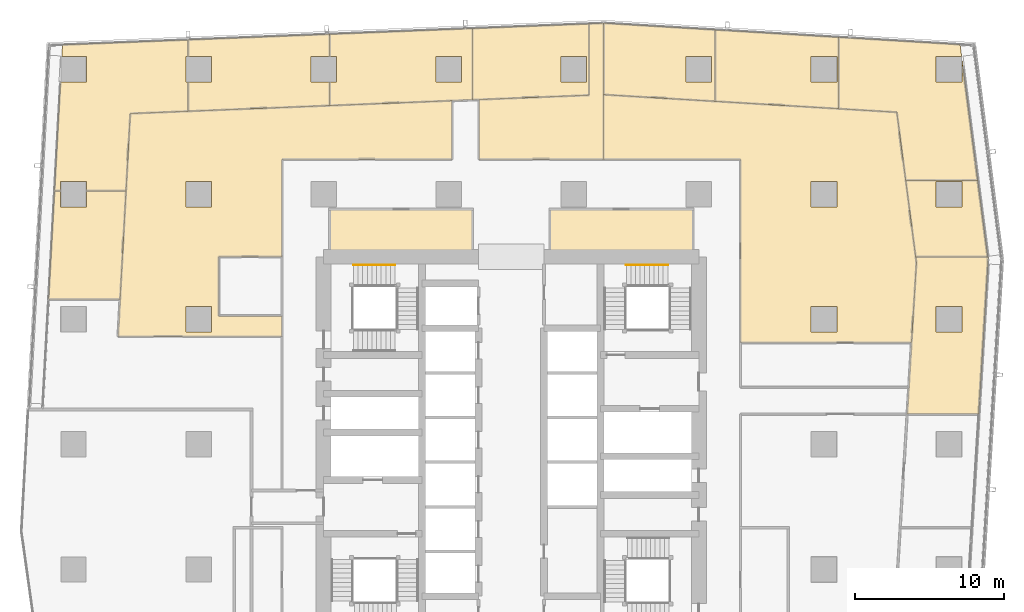
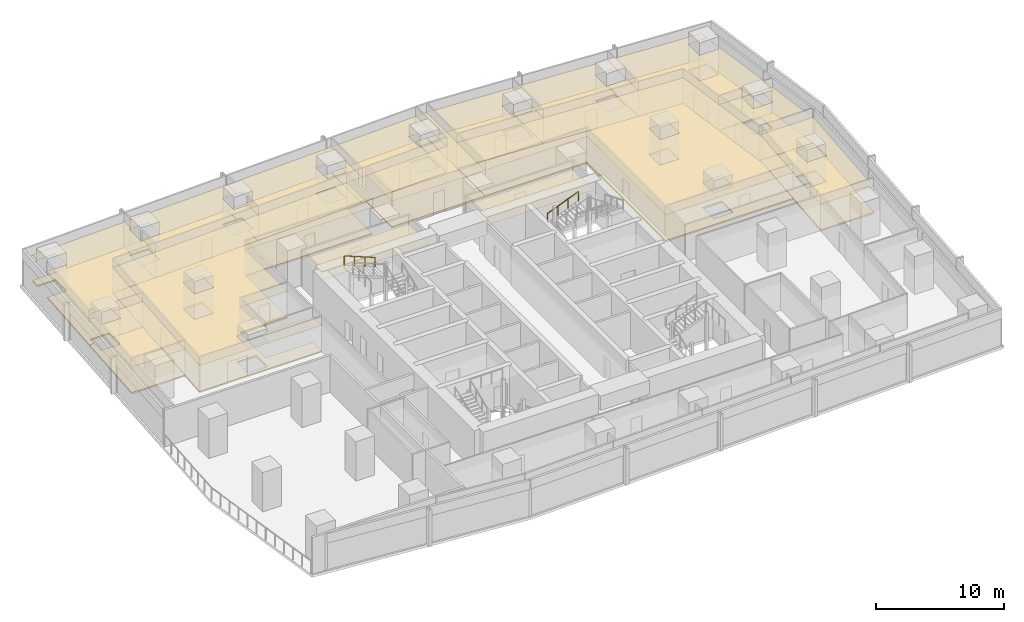
# One storey, part 38 of 38: 28 coverings, 2 railings.
"""IFC4 building model written with IfcOpenShell, lengths in metres."""

from ifc_helpers import new_model, si_unit, direction, frame, origin, origin_2d, place, context, subcontext, project, spatial, polyline, circle, outline, extrude, material, layer, layer_set, type_object, element, save


model = new_model("IFC4")

# Units and contexts
model_context = context("Model", 3, precision=1e-05, world=origin(), true_north=direction((0.0, 1.0)))
body_context = subcontext(model_context, "Body", "Model", "MODEL_VIEW")
ifc_project = project(units=[si_unit("LENGTHUNIT", "METRE"), si_unit("AREAUNIT", "SQUARE_METRE"), si_unit("VOLUMEUNIT", "CUBIC_METRE"), si_unit("PLANEANGLEUNIT", "RADIAN"), si_unit("MASSUNIT", "GRAM", prefix="KILO")], contexts=[model_context])

# Site, building, storey
site_placement = place(None, origin())
site = spatial("IfcSite", under=ifc_project, at=site_placement, CompositionType="ELEMENT")
building_placement = place(site_placement, origin())
building = spatial("IfcBuilding", under=site, at=building_placement, Name="Rekha Terrace Tower", CompositionType="ELEMENT")
storey_placement = place(building_placement, frame((0.0, 0.0, 114.050048828125)))
storey = spatial("IfcBuildingStorey", under=building, at=storey_placement, Name="L28", CompositionType="ELEMENT", Elevation=114.050048828125)

# Coverings
ifc_material_1 = material(Name="Mineral fibre tile in exposed grid", Category="finish")
ifc_layer_1 = layer(ifc_material_1, 0.02001953125)
ifc_layer_set_1 = layer_set([ifc_layer_1], Name="Mineral fibre tile in exposed grid")
covering_type_1 = type_object("IfcCoveringType", Name="CL1 600x1200 office grid ceiling", PredefinedType="CEILING", material=ifc_layer_set_1)
covering_1_placement = place(storey_placement, frame((0.0, 0.0, 2.579833984375)))
element("IfcCovering", 1, at=covering_1_placement, inside=storey, type_object=covering_type_1, Name="Ceiling L28-06", PredefinedType="CEILING", context=body_context, shape_type="SweptSolid", body=[
    extrude(outline(polyline([(65.01708984375, 45.806884765625), (64.50390625, 37.43701171875), (64.43408203125, 36.29296875), (64.39404296875, 35.634033203125), (69.202880859375, 35.634033203125), (69.85009765625, 46.196044921875), (64.966064453125, 46.196044921875), (65.01708984375, 45.806884765625)]), holes=[polyline([(68.06494140625, 41.135009765625), (66.3349609375, 41.135009765625), (66.3349609375, 42.864990234375), (68.06494140625, 42.864990234375), (68.06494140625, 41.135009765625)])]), origin(), (0.0, 0.0, 1.0), 0.02001953125),
])
covering_2_placement = place(storey_placement, frame((0.0, 0.0, 2.579833984375)))
element("IfcCovering", 2, at=covering_2_placement, inside=storey, type_object=covering_type_1, Name="Ceiling L28-07", PredefinedType="CEILING", context=body_context, shape_type="SweptSolid", body=[
    extrude(outline(polyline([(64.966064453125, 46.197021484375), (69.806884765625, 46.197021484375), (69.136962890625, 51.337890625), (64.297119140625, 51.337890625), (64.966064453125, 46.197021484375)]), holes=[polyline([(68.06494140625, 49.534912109375), (66.3349609375, 49.534912109375), (66.3349609375, 51.264892578125), (68.06494140625, 51.264892578125), (68.06494140625, 49.534912109375)])]), origin(), (0.0, 0.0, 1.0), 0.02001953125),
])
covering_3_placement = place(storey_placement, frame((0.0, 0.0, 2.579833984375)))
element("IfcCovering", 3, at=covering_3_placement, inside=storey, type_object=covering_type_1, Name="Ceiling L28-08", PredefinedType="CEILING", context=body_context, shape_type="SweptSolid", body=[
    extrude(outline(polyline([(67.948974609375, 60.462890625), (59.7880859375, 60.952880859375), (59.7880859375, 56.14501953125), (63.700927734375, 55.909912109375), (64.297119140625, 51.339111328125), (69.136962890625, 51.339111328125), (68.0849609375, 59.416015625), (68.06494140625, 59.4150390625), (68.06494140625, 57.93505859375), (66.3349609375, 57.93505859375), (66.3349609375, 59.6650390625), (68.052978515625, 59.6650390625), (67.948974609375, 60.462890625)])), origin(), (0.0, 0.0, 1.0), 0.02001953125),
])
covering_4_placement = place(storey_placement, frame((0.0, 0.0, 2.579833984375)))
element("IfcCovering", 4, at=covering_4_placement, inside=storey, type_object=covering_type_1, Name="Ceiling L28-09", PredefinedType="CEILING", context=body_context, shape_type="SweptSolid", body=[
    extrude(outline(polyline([(59.787109375, 56.14501953125), (59.787109375, 60.9541015625), (51.4951171875, 61.451904296875), (51.4951171875, 56.64306640625), (59.787109375, 56.14501953125)]), holes=[polyline([(59.6650390625, 57.93505859375), (57.93505859375, 57.93505859375), (57.93505859375, 59.6650390625), (59.6650390625, 59.6650390625), (59.6650390625, 57.93505859375)])]), origin(), (0.0, 0.0, 1.0), 0.02001953125),
])
covering_5_placement = place(storey_placement, frame((0.0, 0.0, 2.579833984375)))
element("IfcCovering", 5, at=covering_5_placement, inside=storey, type_object=covering_type_1, Name="Ceiling L28-10", PredefinedType="CEILING", context=body_context, shape_type="SweptSolid", body=[
    extrude(outline(polyline([(51.493896484375, 56.64306640625), (51.493896484375, 61.451904296875), (44.00390625, 61.902099609375), (44.00390625, 57.093017578125), (51.493896484375, 56.64306640625)]), holes=[polyline([(51.264892578125, 57.93505859375), (49.534912109375, 57.93505859375), (49.534912109375, 59.6650390625), (51.264892578125, 59.6650390625), (51.264892578125, 57.93505859375)])]), origin(), (0.0, 0.0, 1.0), 0.02001953125),
])
covering_6_placement = place(storey_placement, frame((0.0, 0.0, 2.579833984375)))
element("IfcCovering", 6, at=covering_6_placement, inside=storey, type_object=covering_type_1, Name="Ceiling L28-O1", PredefinedType="CEILING", context=body_context, shape_type="SweptSolid", body=[
    extrude(outline(polyline([(59.787109375, 56.14501953125), (51.493896484375, 56.64306640625), (44.00390625, 57.093017578125), (44.00390625, 52.75), (53.199951171875, 52.75), (53.199951171875, 40.43310546875), (64.68798828125, 40.43310546875), (65.01708984375, 45.806884765625), (64.964111328125, 46.212890625), (64.294921875, 51.35498046875), (63.700927734375, 55.909912109375), (59.787109375, 56.14501953125)]), holes=[polyline([(59.6650390625, 41.135009765625), (57.93505859375, 41.135009765625), (57.93505859375, 42.864990234375), (59.6650390625, 42.864990234375), (59.6650390625, 41.135009765625)]), polyline([(59.6650390625, 49.534912109375), (57.93505859375, 49.534912109375), (57.93505859375, 51.264892578125), (59.6650390625, 51.264892578125), (59.6650390625, 49.534912109375)])]), origin(), (0.0, 0.0, 1.0), 0.02001953125),
])
covering_7_placement = place(storey_placement, frame((0.0, 0.0, 2.579833984375)))
element("IfcCovering", 7, at=covering_7_placement, inside=storey, type_object=covering_type_1, Name="Ceiling L28-13", PredefinedType="CEILING", context=body_context, shape_type="SweptSolid", body=[
    extrude(outline(polyline([(35.199951171875, 61.5458984375), (35.199951171875, 56.741943359375), (43.02294921875, 57.054931640625), (43.02294921875, 61.85888671875), (35.199951171875, 61.5458984375)]), holes=[polyline([(42.864990234375, 57.93505859375), (41.135009765625, 57.93505859375), (41.135009765625, 59.6650390625), (42.864990234375, 59.6650390625), (42.864990234375, 57.93505859375)])]), origin(), (0.0, 0.0, 1.0), 0.02001953125),
])
covering_8_placement = place(storey_placement, frame((0.0, 0.0, 2.579833984375)))
element("IfcCovering", 8, at=covering_8_placement, inside=storey, type_object=covering_type_1, Name="Ceiling L28-14", PredefinedType="CEILING", context=body_context, shape_type="SweptSolid", body=[
    extrude(outline(polyline([(35.198974609375, 56.741943359375), (35.198974609375, 61.5458984375), (25.60009765625, 61.160888671875), (25.60009765625, 59.6650390625), (26.06494140625, 59.6650390625), (26.06494140625, 57.93505859375), (25.60009765625, 57.93505859375), (25.60009765625, 56.35693359375), (33.825927734375, 56.68701171875), (34.861083984375, 56.72802734375), (35.198974609375, 56.741943359375)]), holes=[polyline([(34.465087890625, 57.93505859375), (32.735107421875, 57.93505859375), (32.735107421875, 59.6650390625), (34.465087890625, 59.6650390625), (34.465087890625, 57.93505859375)])]), origin(), (0.0, 0.0, 1.0), 0.02001953125),
])
covering_9_placement = place(storey_placement, frame((0.0, 0.0, 2.579833984375)))
element("IfcCovering", 9, at=covering_9_placement, inside=storey, type_object=covering_type_1, Name="Ceiling L28-15", PredefinedType="CEILING", context=body_context, shape_type="SweptSolid", body=[
    extrude(outline(polyline([(25.59912109375, 59.6650390625), (25.59912109375, 61.160888671875), (16.10205078125, 60.781005859375), (16.10205078125, 59.6650390625), (17.6650390625, 59.6650390625), (17.6650390625, 57.93505859375), (16.10205078125, 57.93505859375), (16.10205078125, 55.97705078125), (25.59912109375, 56.35693359375), (25.59912109375, 57.93505859375), (24.3349609375, 57.93505859375), (24.3349609375, 59.6650390625), (25.59912109375, 59.6650390625)])), origin(), (0.0, 0.0, 1.0), 0.02001953125),
])
covering_10_placement = place(storey_placement, frame((0.0, 0.0, 2.579833984375)))
element("IfcCovering", 10, at=covering_10_placement, inside=storey, type_object=covering_type_1, Name="Ceiling L28-16", PredefinedType="CEILING", context=body_context, shape_type="SweptSolid", body=[
    extrude(outline(polyline([(9.264892578125, 57.93505859375), (7.514892578125, 57.93505859375), (7.114990234375, 50.635986328125), (7.534912109375, 50.635986328125), (7.534912109375, 51.264892578125), (9.264892578125, 51.264892578125), (9.264892578125, 50.635986328125), (11.923095703125, 50.635986328125), (12.20703125, 55.821044921875), (16.10107421875, 55.97705078125), (16.10107421875, 57.93505859375), (15.93505859375, 57.93505859375), (15.93505859375, 59.6650390625), (16.10107421875, 59.6650390625), (16.10107421875, 60.781005859375), (7.653076171875, 60.44189453125), (7.610107421875, 59.6650390625), (9.264892578125, 59.6650390625), (9.264892578125, 57.93505859375)])), origin(), (0.0, 0.0, 1.0), 0.02001953125),
])
covering_11_placement = place(storey_placement, frame((0.0, 0.0, 2.579833984375)))
element("IfcCovering", 11, at=covering_11_placement, inside=storey, type_object=covering_type_1, Name="Ceiling L28-17", PredefinedType="CEILING", context=body_context, shape_type="SweptSolid", body=[
    extrude(outline(polyline([(7.534912109375, 50.635009765625), (7.114990234375, 50.635009765625), (6.715087890625, 43.340087890625), (11.52294921875, 43.340087890625), (11.923095703125, 50.635009765625), (9.264892578125, 50.635009765625), (9.264892578125, 49.534912109375), (7.534912109375, 49.534912109375), (7.534912109375, 50.635009765625)])), origin(), (0.0, 0.0, 1.0), 0.02001953125),
])
covering_12_placement = place(storey_placement, frame((0.0, 0.0, 2.579833984375)))
element("IfcCovering", 12, at=covering_12_placement, inside=storey, type_object=covering_type_1, Name="Ceiling L28-O2", PredefinedType="CEILING", context=body_context, shape_type="SweptSolid", body=[
    extrude(outline(polyline([(11.923095703125, 50.635009765625), (11.52294921875, 43.339111328125), (11.385986328125, 40.843994140625), (22.39990234375, 40.843994140625), (22.39990234375, 42.237060546875), (18.14990234375, 42.237060546875), (18.14990234375, 46.199951171875), (22.39990234375, 46.199951171875), (22.39990234375, 52.75), (33.825927734375, 52.75), (33.825927734375, 56.68701171875), (25.583984375, 56.35595703125), (16.0859375, 55.97607421875), (12.20703125, 55.821044921875), (11.923095703125, 50.635009765625)]), holes=[polyline([(17.6650390625, 41.135009765625), (15.93505859375, 41.135009765625), (15.93505859375, 42.864990234375), (17.6650390625, 42.864990234375), (17.6650390625, 41.135009765625)]), polyline([(17.6650390625, 49.534912109375), (15.93505859375, 49.534912109375), (15.93505859375, 51.264892578125), (17.6650390625, 51.264892578125), (17.6650390625, 49.534912109375)])]), origin(), (0.0, 0.0, 1.0), 0.02001953125),
])
covering_13_placement = place(storey_placement, frame((0.0, 0.0, 2.579833984375)))
element("IfcCovering", 13, at=covering_13_placement, inside=storey, type_object=covering_type_1, Name="Ceiling L28-O2b", PredefinedType="CEILING", context=body_context, shape_type="SweptSolid", body=[
    extrude(outline(polyline([(44.0029296875, 61.89892578125), (43.02294921875, 61.85888671875), (43.02294921875, 57.054931640625), (35.6259765625, 56.759033203125), (35.6259765625, 52.75), (44.0029296875, 52.75), (44.0029296875, 61.89892578125)])), origin(), (0.0, 0.0, 1.0), 0.02001953125),
])
ifc_material_2 = material(Name="Fibre cement board", Category="finish")
ifc_layer_2 = layer(ifc_material_2, 0.014892578125)
ifc_layer_set_2 = layer_set([ifc_layer_2], Name="Fibre cement board")
covering_type_2 = type_object("IfcCoveringType", Name="CL2 moisture-resistant board ceiling", PredefinedType="CEILING", material=ifc_layer_set_2)
covering_14_placement = place(storey_placement, frame((0.0, 0.0, 2.5849609375)))
element("IfcCovering", 14, at=covering_14_placement, inside=storey, type_object=covering_type_2, Name="Ceiling L28-WCF", PredefinedType="CEILING", context=body_context, shape_type="SweptSolid", body=[
    extrude(outline(polyline([(50.0, 49.39990234375), (40.39990234375, 49.39990234375), (40.39990234375, 46.199951171875), (50.0, 46.199951171875), (50.0, 49.39990234375)])), origin(), (0.0, 0.0, 1.0), 0.014892578125),
])
covering_15_placement = place(storey_placement, frame((0.0, 0.0, 2.5849609375)))
element("IfcCovering", 15, at=covering_15_placement, inside=storey, type_object=covering_type_2, Name="Ceiling L28-WCF2", PredefinedType="CEILING", context=body_context, shape_type="SweptSolid", body=[
    extrude(outline(polyline([(35.199951171875, 49.39990234375), (25.60009765625, 49.39990234375), (25.60009765625, 46.199951171875), (35.199951171875, 46.199951171875), (35.199951171875, 49.39990234375)])), origin(), (0.0, 0.0, 1.0), 0.014892578125),
])

# Railings
ifc_material_3 = material(Name="Stainless steel tube", Category="steel")
railing_type = type_object("IfcRailingType", Name="HR1 900 stair handrail", PredefinedType="HANDRAIL", material=ifc_material_3)
railing_1_placement = place(storey_placement, frame((45.52490234375, 45.639892578125, 1.375)))
element("IfcRailing", 16, at=railing_1_placement, inside=storey, type_object=railing_type, Name="Handrail ST2 L28 flight 2", PredefinedType="HANDRAIL", context=body_context, shape_type="SweptSolid", body=[
    extrude(circle(Radius=0.02392578125, at=origin_2d()), frame((0.0, 0.0, 0.8759765625), z_axis=(0.927443287984, 0.0, 0.373963831907), x_axis=(0.0, 1.0, 0.0)), (0.0, 0.0, 1.0), 3.00830078125),
    extrude(circle(Radius=0.02099609375, at=origin_2d()), origin(), (0.0, 0.0, 1.0), 0.851806640625),
    extrude(circle(Radius=0.02099609375, at=origin_2d()), frame((0.929931640625, 0.0, 0.375)), (0.0, 0.0, 1.0), 0.851806640625),
    extrude(circle(Radius=0.02099609375, at=origin_2d()), frame((1.860107421875, 0.0, 0.75)), (0.0, 0.0, 1.0), 0.851806640625),
    extrude(circle(Radius=0.02099609375, at=origin_2d()), frame((2.7900390625, 0.0, 1.125)), (0.0, 0.0, 1.0), 0.851806640625),
])
railing_2_placement = place(storey_placement, frame((29.989990234375, 45.639892578125, 2.625)))
element("IfcRailing", 17, at=railing_2_placement, inside=storey, type_object=railing_type, Name="Handrail ST4 L28 flight 3", PredefinedType="HANDRAIL", context=body_context, shape_type="SweptSolid", body=[
    extrude(circle(Radius=0.02392578125, at=origin_2d()), frame((0.0, 0.0, 0.8759765625), z_axis=(-0.927443287984, 0.0, 0.373963831907), x_axis=(0.0, -1.0, 0.0)), (0.0, 0.0, 1.0), 3.00830078125),
    extrude(circle(Radius=0.02099609375, at=origin_2d()), origin(), (0.0, 0.0, 1.0), 0.851806640625),
    extrude(circle(Radius=0.02099609375, at=origin_2d()), frame((-0.929931640625, 0.0, 0.375)), (0.0, 0.0, 1.0), 0.851806640625),
    extrude(circle(Radius=0.02099609375, at=origin_2d()), frame((-1.860107421875, 0.0, 0.75)), (0.0, 0.0, 1.0), 0.851806640625),
    extrude(circle(Radius=0.02099609375, at=origin_2d()), frame((-2.7900390625, 0.0, 1.125)), (0.0, 0.0, 1.0), 0.851806640625),
])

# Coverings
ifc_material_4 = material(Name="Calcium sulphate panels on steel pedestals", Category="steel")
ifc_layer_3 = layer(ifc_material_4, 0.14990234375)
ifc_layer_set_3 = layer_set([ifc_layer_3], Name="Calcium sulphate panels on steel pedestals")
covering_type_3 = type_object("IfcCoveringType", Name="RF1 150 raised access floor", PredefinedType="FLOORING", material=ifc_layer_set_3)
covering_16_placement = place(storey_placement, origin())
element("IfcCovering", 18, at=covering_16_placement, inside=storey, type_object=covering_type_3, Name="Raised floor L28-06", PredefinedType="FLOORING", context=body_context, shape_type="SweptSolid", body=[
    extrude(outline(polyline([(65.01708984375, 45.806884765625), (64.50390625, 37.43701171875), (64.43408203125, 36.29296875), (64.39404296875, 35.634033203125), (69.202880859375, 35.634033203125), (69.85009765625, 46.196044921875), (64.966064453125, 46.196044921875), (65.01708984375, 45.806884765625)]), holes=[polyline([(68.06494140625, 41.135009765625), (66.3349609375, 41.135009765625), (66.3349609375, 42.864990234375), (68.06494140625, 42.864990234375), (68.06494140625, 41.135009765625)])]), origin(), (0.0, 0.0, 1.0), 0.14990234375),
])
covering_17_placement = place(storey_placement, origin())
element("IfcCovering", 19, at=covering_17_placement, inside=storey, type_object=covering_type_3, Name="Raised floor L28-07", PredefinedType="FLOORING", context=body_context, shape_type="SweptSolid", body=[
    extrude(outline(polyline([(64.966064453125, 46.197021484375), (69.806884765625, 46.197021484375), (69.136962890625, 51.337890625), (64.297119140625, 51.337890625), (64.966064453125, 46.197021484375)]), holes=[polyline([(68.06494140625, 49.534912109375), (66.3349609375, 49.534912109375), (66.3349609375, 51.264892578125), (68.06494140625, 51.264892578125), (68.06494140625, 49.534912109375)])]), origin(), (0.0, 0.0, 1.0), 0.14990234375),
])
covering_18_placement = place(storey_placement, origin())
element("IfcCovering", 20, at=covering_18_placement, inside=storey, type_object=covering_type_3, Name="Raised floor L28-08", PredefinedType="FLOORING", context=body_context, shape_type="SweptSolid", body=[
    extrude(outline(polyline([(67.948974609375, 60.462890625), (59.7880859375, 60.952880859375), (59.7880859375, 56.14501953125), (63.700927734375, 55.909912109375), (64.297119140625, 51.339111328125), (69.136962890625, 51.339111328125), (68.0849609375, 59.416015625), (68.06494140625, 59.4150390625), (68.06494140625, 57.93505859375), (66.3349609375, 57.93505859375), (66.3349609375, 59.6650390625), (68.052978515625, 59.6650390625), (67.948974609375, 60.462890625)])), origin(), (0.0, 0.0, 1.0), 0.14990234375),
])
covering_19_placement = place(storey_placement, origin())
element("IfcCovering", 21, at=covering_19_placement, inside=storey, type_object=covering_type_3, Name="Raised floor L28-09", PredefinedType="FLOORING", context=body_context, shape_type="SweptSolid", body=[
    extrude(outline(polyline([(59.787109375, 56.14501953125), (59.787109375, 60.9541015625), (51.4951171875, 61.451904296875), (51.4951171875, 56.64306640625), (59.787109375, 56.14501953125)]), holes=[polyline([(59.6650390625, 57.93505859375), (57.93505859375, 57.93505859375), (57.93505859375, 59.6650390625), (59.6650390625, 59.6650390625), (59.6650390625, 57.93505859375)])]), origin(), (0.0, 0.0, 1.0), 0.14990234375),
])
covering_20_placement = place(storey_placement, origin())
element("IfcCovering", 22, at=covering_20_placement, inside=storey, type_object=covering_type_3, Name="Raised floor L28-10", PredefinedType="FLOORING", context=body_context, shape_type="SweptSolid", body=[
    extrude(outline(polyline([(51.493896484375, 56.64306640625), (51.493896484375, 61.451904296875), (44.00390625, 61.902099609375), (44.00390625, 57.093017578125), (51.493896484375, 56.64306640625)]), holes=[polyline([(51.264892578125, 57.93505859375), (49.534912109375, 57.93505859375), (49.534912109375, 59.6650390625), (51.264892578125, 59.6650390625), (51.264892578125, 57.93505859375)])]), origin(), (0.0, 0.0, 1.0), 0.14990234375),
])
covering_21_placement = place(storey_placement, origin())
element("IfcCovering", 23, at=covering_21_placement, inside=storey, type_object=covering_type_3, Name="Raised floor L28-O1", PredefinedType="FLOORING", context=body_context, shape_type="SweptSolid", body=[
    extrude(outline(polyline([(59.787109375, 56.14501953125), (51.493896484375, 56.64306640625), (44.00390625, 57.093017578125), (44.00390625, 52.75), (53.199951171875, 52.75), (53.199951171875, 40.43310546875), (64.68798828125, 40.43310546875), (65.01708984375, 45.806884765625), (64.964111328125, 46.212890625), (64.294921875, 51.35498046875), (63.700927734375, 55.909912109375), (59.787109375, 56.14501953125)]), holes=[polyline([(59.6650390625, 41.135009765625), (57.93505859375, 41.135009765625), (57.93505859375, 42.864990234375), (59.6650390625, 42.864990234375), (59.6650390625, 41.135009765625)]), polyline([(59.6650390625, 49.534912109375), (57.93505859375, 49.534912109375), (57.93505859375, 51.264892578125), (59.6650390625, 51.264892578125), (59.6650390625, 49.534912109375)])]), origin(), (0.0, 0.0, 1.0), 0.14990234375),
])
covering_22_placement = place(storey_placement, origin())
element("IfcCovering", 24, at=covering_22_placement, inside=storey, type_object=covering_type_3, Name="Raised floor L28-13", PredefinedType="FLOORING", context=body_context, shape_type="SweptSolid", body=[
    extrude(outline(polyline([(35.199951171875, 61.5458984375), (35.199951171875, 56.741943359375), (43.02294921875, 57.054931640625), (43.02294921875, 61.85888671875), (35.199951171875, 61.5458984375)]), holes=[polyline([(42.864990234375, 57.93505859375), (41.135009765625, 57.93505859375), (41.135009765625, 59.6650390625), (42.864990234375, 59.6650390625), (42.864990234375, 57.93505859375)])]), origin(), (0.0, 0.0, 1.0), 0.14990234375),
])
covering_23_placement = place(storey_placement, origin())
element("IfcCovering", 25, at=covering_23_placement, inside=storey, type_object=covering_type_3, Name="Raised floor L28-14", PredefinedType="FLOORING", context=body_context, shape_type="SweptSolid", body=[
    extrude(outline(polyline([(35.198974609375, 56.741943359375), (35.198974609375, 61.5458984375), (25.60009765625, 61.160888671875), (25.60009765625, 59.6650390625), (26.06494140625, 59.6650390625), (26.06494140625, 57.93505859375), (25.60009765625, 57.93505859375), (25.60009765625, 56.35693359375), (33.825927734375, 56.68701171875), (34.861083984375, 56.72802734375), (35.198974609375, 56.741943359375)]), holes=[polyline([(34.465087890625, 57.93505859375), (32.735107421875, 57.93505859375), (32.735107421875, 59.6650390625), (34.465087890625, 59.6650390625), (34.465087890625, 57.93505859375)])]), origin(), (0.0, 0.0, 1.0), 0.14990234375),
])
covering_24_placement = place(storey_placement, origin())
element("IfcCovering", 26, at=covering_24_placement, inside=storey, type_object=covering_type_3, Name="Raised floor L28-15", PredefinedType="FLOORING", context=body_context, shape_type="SweptSolid", body=[
    extrude(outline(polyline([(25.59912109375, 59.6650390625), (25.59912109375, 61.160888671875), (16.10205078125, 60.781005859375), (16.10205078125, 59.6650390625), (17.6650390625, 59.6650390625), (17.6650390625, 57.93505859375), (16.10205078125, 57.93505859375), (16.10205078125, 55.97705078125), (25.59912109375, 56.35693359375), (25.59912109375, 57.93505859375), (24.3349609375, 57.93505859375), (24.3349609375, 59.6650390625), (25.59912109375, 59.6650390625)])), origin(), (0.0, 0.0, 1.0), 0.14990234375),
])
covering_25_placement = place(storey_placement, origin())
element("IfcCovering", 27, at=covering_25_placement, inside=storey, type_object=covering_type_3, Name="Raised floor L28-16", PredefinedType="FLOORING", context=body_context, shape_type="SweptSolid", body=[
    extrude(outline(polyline([(9.264892578125, 57.93505859375), (7.514892578125, 57.93505859375), (7.114990234375, 50.635986328125), (7.534912109375, 50.635986328125), (7.534912109375, 51.264892578125), (9.264892578125, 51.264892578125), (9.264892578125, 50.635986328125), (11.923095703125, 50.635986328125), (12.20703125, 55.821044921875), (16.10107421875, 55.97705078125), (16.10107421875, 57.93505859375), (15.93505859375, 57.93505859375), (15.93505859375, 59.6650390625), (16.10107421875, 59.6650390625), (16.10107421875, 60.781005859375), (7.653076171875, 60.44189453125), (7.610107421875, 59.6650390625), (9.264892578125, 59.6650390625), (9.264892578125, 57.93505859375)])), origin(), (0.0, 0.0, 1.0), 0.14990234375),
])
covering_26_placement = place(storey_placement, origin())
element("IfcCovering", 28, at=covering_26_placement, inside=storey, type_object=covering_type_3, Name="Raised floor L28-17", PredefinedType="FLOORING", context=body_context, shape_type="SweptSolid", body=[
    extrude(outline(polyline([(7.534912109375, 50.635009765625), (7.114990234375, 50.635009765625), (6.715087890625, 43.340087890625), (11.52294921875, 43.340087890625), (11.923095703125, 50.635009765625), (9.264892578125, 50.635009765625), (9.264892578125, 49.534912109375), (7.534912109375, 49.534912109375), (7.534912109375, 50.635009765625)])), origin(), (0.0, 0.0, 1.0), 0.14990234375),
])
covering_27_placement = place(storey_placement, origin())
element("IfcCovering", 29, at=covering_27_placement, inside=storey, type_object=covering_type_3, Name="Raised floor L28-O2", PredefinedType="FLOORING", context=body_context, shape_type="SweptSolid", body=[
    extrude(outline(polyline([(11.923095703125, 50.635009765625), (11.52294921875, 43.339111328125), (11.385986328125, 40.843994140625), (22.39990234375, 40.843994140625), (22.39990234375, 42.237060546875), (18.14990234375, 42.237060546875), (18.14990234375, 46.199951171875), (22.39990234375, 46.199951171875), (22.39990234375, 52.75), (33.825927734375, 52.75), (33.825927734375, 56.68701171875), (25.583984375, 56.35595703125), (16.0859375, 55.97607421875), (12.20703125, 55.821044921875), (11.923095703125, 50.635009765625)]), holes=[polyline([(17.6650390625, 41.135009765625), (15.93505859375, 41.135009765625), (15.93505859375, 42.864990234375), (17.6650390625, 42.864990234375), (17.6650390625, 41.135009765625)]), polyline([(17.6650390625, 49.534912109375), (15.93505859375, 49.534912109375), (15.93505859375, 51.264892578125), (17.6650390625, 51.264892578125), (17.6650390625, 49.534912109375)])]), origin(), (0.0, 0.0, 1.0), 0.14990234375),
])
covering_28_placement = place(storey_placement, origin())
element("IfcCovering", 30, at=covering_28_placement, inside=storey, type_object=covering_type_3, Name="Raised floor L28-O2b", PredefinedType="FLOORING", context=body_context, shape_type="SweptSolid", body=[
    extrude(outline(polyline([(44.0029296875, 61.89892578125), (43.02294921875, 61.85888671875), (43.02294921875, 57.054931640625), (35.6259765625, 56.759033203125), (35.6259765625, 52.75), (44.0029296875, 52.75), (44.0029296875, 61.89892578125)])), origin(), (0.0, 0.0, 1.0), 0.14990234375),
])

save(model, "model.ifc")
